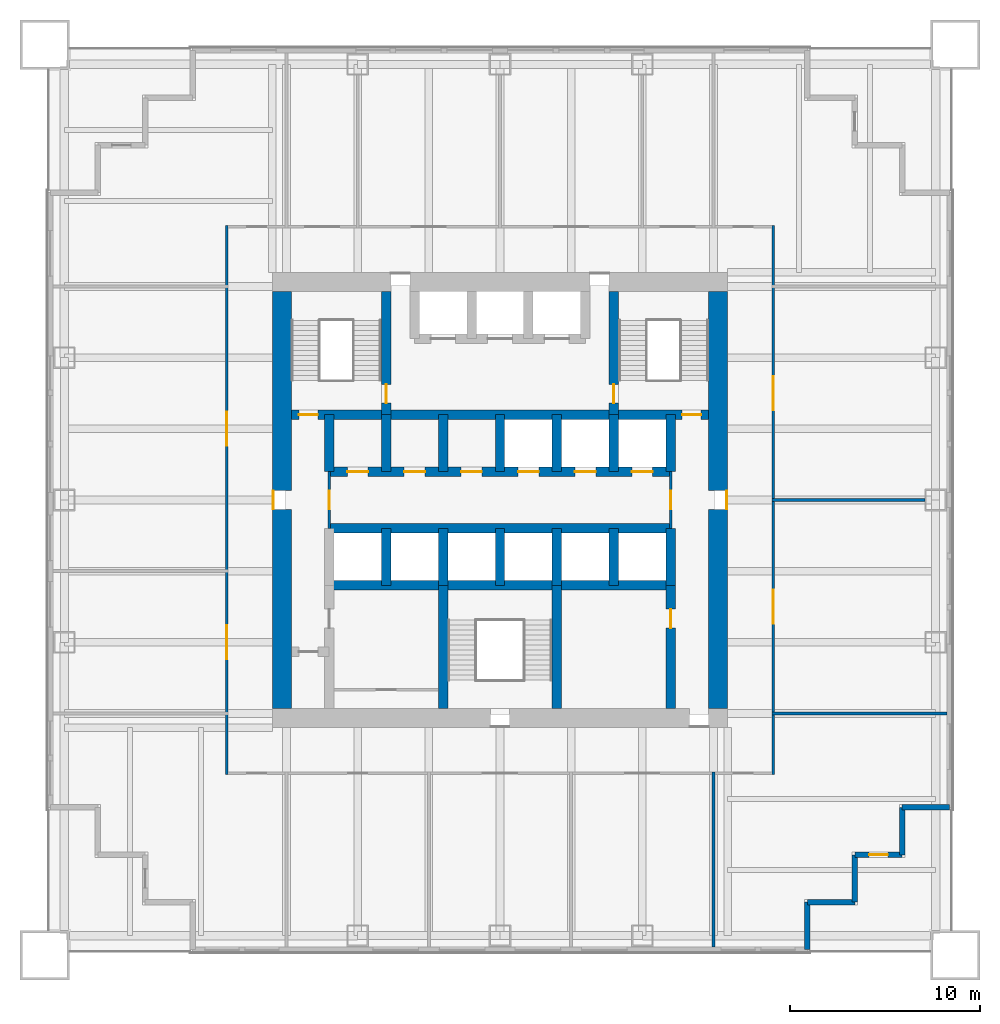
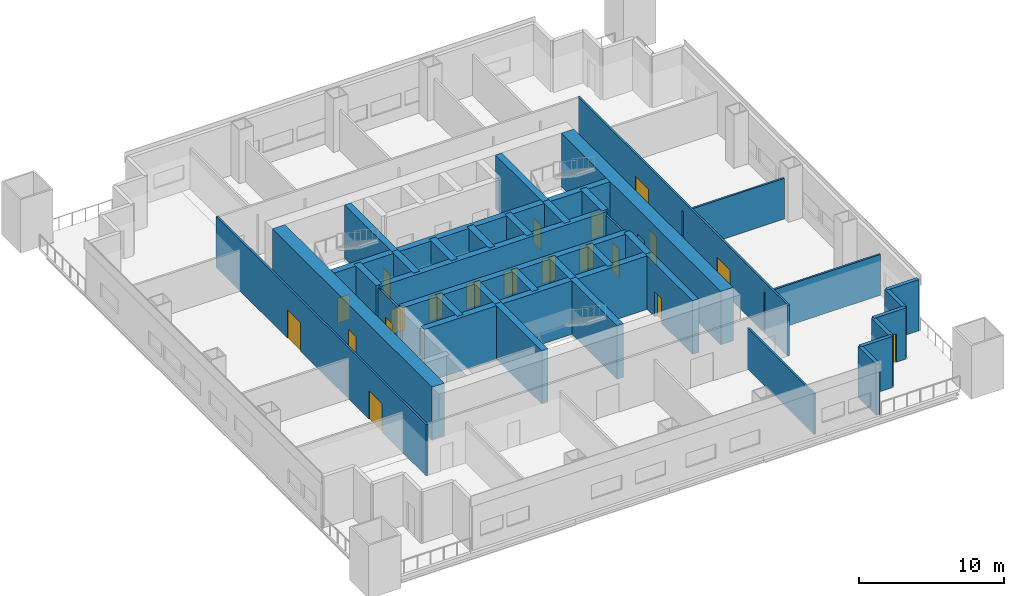
# One storey, part 3 of 6: 37 walls, 20 doors, 20 openings.
"""IFC4 building model written with IfcOpenShell, lengths in metres."""

from ifc_helpers import new_model, si_unit, direction, frame, frame_2d, origin, place, context, subcontext, project, spatial, rectangle, extrude, material, layer, layer_set, type_object, element, fill, save


model = new_model("IFC4")

# Units and contexts
model_context = context("Model", 3, precision=1e-05, world=origin(), true_north=direction((0.0, 1.0)))
body_context = subcontext(model_context, "Body", "Model", "MODEL_VIEW")
ifc_project = project(units=[si_unit("LENGTHUNIT", "METRE"), si_unit("AREAUNIT", "SQUARE_METRE"), si_unit("VOLUMEUNIT", "CUBIC_METRE"), si_unit("PLANEANGLEUNIT", "RADIAN"), si_unit("MASSUNIT", "GRAM", prefix="KILO")], contexts=[model_context])

# Site, building, storey
site_placement = place(None, origin())
site = spatial("IfcSite", under=ifc_project, at=site_placement, CompositionType="ELEMENT")
building_placement = place(site_placement, origin())
building = spatial("IfcBuilding", under=site, at=building_placement, Name="Tarangal Relay Tower", CompositionType="ELEMENT")
storey_placement = place(building_placement, frame((0.0, 0.0, 113.39990234375)))
storey = spatial("IfcBuildingStorey", under=building, at=storey_placement, Name="L22", CompositionType="ELEMENT", Elevation=113.39990234375)

# Wall, openings, doors
ifc_material_1 = material(Name="Concrete fc' 60 MPa", Category="concrete")
ifc_layer_1 = layer(ifc_material_1, 0.5)
ifc_layer_set_1 = layer_set([ifc_layer_1], Name="Core inner wall 500")
wall_type_1 = type_object("IfcWallType", Name="Core inner wall 500", PredefinedType="SHEAR", material=ifc_layer_set_1)
wall_1_placement = place(storey_placement, frame((-11.0, 4.5, 0.0), z_axis=(0.0, 0.0, 1.0), x_axis=(1.0, 0.0, 0.0)))
wall_1 = element("IfcWall", 1, at=wall_1_placement, inside=storey, type_object=wall_type_1, Name="Core wall Y45 L22", PredefinedType="SHEAR", context=body_context, shape_type="SweptSolid", body=[
    extrude(rectangle(XDim=22.0, YDim=0.5, at=frame_2d((11.0, 0.0))), origin(), (0.0, 0.0, 1.0), 4.5),
])
opening_1_placement = place(wall_1_placement, frame((0.39990234375, 0.0, 0.0)))
opening_1 = element("IfcOpeningElement", 2, at=opening_1_placement, cuts=wall_1, Name="Opening FD1", PredefinedType="OPENING", context=body_context, shape_type="SweptSolid", body=[
    extrude(rectangle(XDim=1.0, YDim=2.10009765625, at=frame_2d((0.5, 1.050048828125))), frame((0.0, 0.260009765625, 0.0), z_axis=(0.0, -1.0, 0.0), x_axis=(1.0, 0.0, 0.0)), (0.0, 0.0, 1.0), 0.52001953125),
])
opening_2_placement = place(wall_1_placement, frame((20.60009765625, 0.0, 0.0)))
opening_2 = element("IfcOpeningElement", 3, at=opening_2_placement, cuts=wall_1, Name="Opening FD1", PredefinedType="OPENING", context=body_context, shape_type="SweptSolid", body=[
    extrude(rectangle(XDim=1.0, YDim=2.10009765625, at=frame_2d((0.5, 1.050048828125))), frame((0.0, 0.260009765625, 0.0), z_axis=(0.0, -1.0, 0.0), x_axis=(1.0, 0.0, 0.0)), (0.0, 0.0, 1.0), 0.52001953125),
])
ifc_material_2 = material(Name="Steel door with hardwood frame", Category="steel")
door_type_1 = type_object("IfcDoorType", Name="Fire door 1000 x 2100", OperationType="SINGLE_SWING_LEFT", PredefinedType="DOOR", material=ifc_material_2)
door_1_placement = place(opening_1_placement, origin())
door_1 = element("IfcDoor", 4, at=door_1_placement, inside=storey, type_object=door_type_1, Name="Stair ST-A door from corridor L22", OperationType="SINGLE_SWING_LEFT", OverallHeight=2.10009765625, OverallWidth=1.0, PredefinedType="DOOR", context=body_context, shape_type="SweptSolid", body=[
    extrude(rectangle(XDim=1.0, YDim=2.10009765625, at=frame_2d((0.5, 1.050048828125))), frame((0.0, 0.02490234375, 0.0), z_axis=(0.0, -1.0, 0.0), x_axis=(1.0, 0.0, 0.0)), (0.0, 0.0, 1.0), 0.050048828125),
])
fill(opening_1, door_1)
door_2_placement = place(opening_2_placement, origin())
door_2 = element("IfcDoor", 5, at=door_2_placement, inside=storey, type_object=door_type_1, Name="Stair ST-B door from corridor L22", OperationType="SINGLE_SWING_LEFT", OverallHeight=2.10009765625, OverallWidth=1.0, PredefinedType="DOOR", context=body_context, shape_type="SweptSolid", body=[
    extrude(rectangle(XDim=1.0, YDim=2.10009765625, at=frame_2d((0.5, 1.050048828125))), frame((0.0, 0.02490234375, 0.0), z_axis=(0.0, -1.0, 0.0), x_axis=(1.0, 0.0, 0.0)), (0.0, 0.0, 1.0), 0.050048828125),
])
fill(opening_2, door_2)

wall_2_placement = place(storey_placement, frame((-9.0, 1.5, 0.0), z_axis=(0.0, 0.0, 1.0), x_axis=(1.0, 0.0, 0.0)))
wall_2 = element("IfcWall", 6, at=wall_2_placement, inside=storey, type_object=wall_type_1, Name="Core wall Y15 L22", PredefinedType="SHEAR", context=body_context, shape_type="SweptSolid", body=[
    extrude(rectangle(XDim=18.0, YDim=0.5, at=frame_2d((9.0, 0.0))), origin(), (0.0, 0.0, 1.0), 4.5),
])
opening_3_placement = place(wall_2_placement, frame((9.949951171875, 0.0, 0.0)))
opening_3 = element("IfcOpeningElement", 7, at=opening_3_placement, cuts=wall_2, Name="Opening LD1", PredefinedType="OPENING", context=body_context, shape_type="SweptSolid", body=[
    extrude(rectangle(XDim=1.10009765625, YDim=2.10009765625, at=frame_2d((0.550048828125, 1.050048828125))), frame((0.0, 0.260009765625, 0.0), z_axis=(0.0, -1.0, 0.0), x_axis=(1.0, 0.0, 0.0)), (0.0, 0.0, 1.0), 0.52001953125),
])
opening_4_placement = place(wall_2_placement, frame((12.949951171875, 0.0, 0.0)))
opening_4 = element("IfcOpeningElement", 8, at=opening_4_placement, cuts=wall_2, Name="Opening LD1", PredefinedType="OPENING", context=body_context, shape_type="SweptSolid", body=[
    extrude(rectangle(XDim=1.10009765625, YDim=2.10009765625, at=frame_2d((0.550048828125, 1.050048828125))), frame((0.0, 0.260009765625, 0.0), z_axis=(0.0, -1.0, 0.0), x_axis=(1.0, 0.0, 0.0)), (0.0, 0.0, 1.0), 0.52001953125),
])
opening_5_placement = place(wall_2_placement, frame((15.949951171875, 0.0, 0.0)))
opening_5 = element("IfcOpeningElement", 9, at=opening_5_placement, cuts=wall_2, Name="Opening LD1", PredefinedType="OPENING", context=body_context, shape_type="SweptSolid", body=[
    extrude(rectangle(XDim=1.10009765625, YDim=2.10009765625, at=frame_2d((0.550048828125, 1.050048828125))), frame((0.0, 0.260009765625, 0.0), z_axis=(0.0, -1.0, 0.0), x_axis=(1.0, 0.0, 0.0)), (0.0, 0.0, 1.0), 0.52001953125),
])
opening_6_placement = place(wall_2_placement, frame((0.949951171875, 0.0, 0.0)))
opening_6 = element("IfcOpeningElement", 10, at=opening_6_placement, cuts=wall_2, Name="Opening D4", PredefinedType="OPENING", context=body_context, shape_type="SweptSolid", body=[
    extrude(rectangle(XDim=1.10009765625, YDim=2.10009765625, at=frame_2d((0.550048828125, 1.050048828125))), frame((0.0, 0.260009765625, 0.0), z_axis=(0.0, -1.0, 0.0), x_axis=(1.0, 0.0, 0.0)), (0.0, 0.0, 1.0), 0.52001953125),
])
opening_7_placement = place(wall_2_placement, frame((3.949951171875, 0.0, 0.0)))
opening_7 = element("IfcOpeningElement", 11, at=opening_7_placement, cuts=wall_2, Name="Opening D4", PredefinedType="OPENING", context=body_context, shape_type="SweptSolid", body=[
    extrude(rectangle(XDim=1.10009765625, YDim=2.10009765625, at=frame_2d((0.550048828125, 1.050048828125))), frame((0.0, 0.260009765625, 0.0), z_axis=(0.0, -1.0, 0.0), x_axis=(1.0, 0.0, 0.0)), (0.0, 0.0, 1.0), 0.52001953125),
])
opening_8_placement = place(wall_2_placement, frame((6.949951171875, 0.0, 0.0)))
opening_8 = element("IfcOpeningElement", 12, at=opening_8_placement, cuts=wall_2, Name="Opening D4", PredefinedType="OPENING", context=body_context, shape_type="SweptSolid", body=[
    extrude(rectangle(XDim=1.10009765625, YDim=2.10009765625, at=frame_2d((0.550048828125, 1.050048828125))), frame((0.0, 0.260009765625, 0.0), z_axis=(0.0, -1.0, 0.0), x_axis=(1.0, 0.0, 0.0)), (0.0, 0.0, 1.0), 0.52001953125),
])
door_type_2 = type_object("IfcDoorType", Name="Core room door 1100 x 2100", OperationType="SINGLE_SWING_RIGHT", PredefinedType="DOOR", material=ifc_material_2)
door_3_placement = place(opening_6_placement, origin())
door_3 = element("IfcDoor", 13, at=door_3_placement, inside=storey, type_object=door_type_2, Name="Door D4 to staff pantry L22-D1", OperationType="SINGLE_SWING_RIGHT", OverallHeight=2.10009765625, OverallWidth=1.10009765625, PredefinedType="DOOR", context=body_context, shape_type="SweptSolid", body=[
    extrude(rectangle(XDim=1.10009765625, YDim=2.10009765625, at=frame_2d((0.550048828125, 1.050048828125))), frame((0.0, 0.02490234375, 0.0), z_axis=(0.0, -1.0, 0.0), x_axis=(1.0, 0.0, 0.0)), (0.0, 0.0, 1.0), 0.050048828125),
])
fill(opening_6, door_3)
door_4_placement = place(opening_7_placement, origin())
door_4 = element("IfcDoor", 14, at=door_4_placement, inside=storey, type_object=door_type_2, Name="Door D4 to staff wc L22-D2", OperationType="SINGLE_SWING_RIGHT", OverallHeight=2.10009765625, OverallWidth=1.10009765625, PredefinedType="DOOR", context=body_context, shape_type="SweptSolid", body=[
    extrude(rectangle(XDim=1.10009765625, YDim=2.10009765625, at=frame_2d((0.550048828125, 1.050048828125))), frame((0.0, 0.02490234375, 0.0), z_axis=(0.0, -1.0, 0.0), x_axis=(1.0, 0.0, 0.0)), (0.0, 0.0, 1.0), 0.050048828125),
])
fill(opening_7, door_4)
door_5_placement = place(opening_8_placement, origin())
door_5 = element("IfcDoor", 15, at=door_5_placement, inside=storey, type_object=door_type_2, Name="Door D4 to cleaner's store L22-D3", OperationType="SINGLE_SWING_RIGHT", OverallHeight=2.10009765625, OverallWidth=1.10009765625, PredefinedType="DOOR", context=body_context, shape_type="SweptSolid", body=[
    extrude(rectangle(XDim=1.10009765625, YDim=2.10009765625, at=frame_2d((0.550048828125, 1.050048828125))), frame((0.0, 0.02490234375, 0.0), z_axis=(0.0, -1.0, 0.0), x_axis=(1.0, 0.0, 0.0)), (0.0, 0.0, 1.0), 0.050048828125),
])
fill(opening_8, door_5)
door_type_3 = type_object("IfcDoorType", Name="Lift landing door 1100 x 2100", OperationType="SLIDING_TO_LEFT", PredefinedType="DOOR", material=ifc_material_2)
door_6_placement = place(opening_3_placement, origin())
door_6 = element("IfcDoor", 16, at=door_6_placement, inside=storey, type_object=door_type_3, Name="Lift T1 landing door L22", OperationType="SLIDING_TO_LEFT", OverallHeight=2.10009765625, OverallWidth=1.10009765625, PredefinedType="DOOR", context=body_context, shape_type="SweptSolid", body=[
    extrude(rectangle(XDim=1.10009765625, YDim=2.10009765625, at=frame_2d((0.550048828125, 1.050048828125))), frame((0.0, 0.02490234375, 0.0), z_axis=(0.0, -1.0, 0.0), x_axis=(1.0, 0.0, 0.0)), (0.0, 0.0, 1.0), 0.050048828125),
])
fill(opening_3, door_6)
door_7_placement = place(opening_4_placement, origin())
door_7 = element("IfcDoor", 17, at=door_7_placement, inside=storey, type_object=door_type_3, Name="Lift T2 landing door L22", OperationType="SLIDING_TO_LEFT", OverallHeight=2.10009765625, OverallWidth=1.10009765625, PredefinedType="DOOR", context=body_context, shape_type="SweptSolid", body=[
    extrude(rectangle(XDim=1.10009765625, YDim=2.10009765625, at=frame_2d((0.550048828125, 1.050048828125))), frame((0.0, 0.02490234375, 0.0), z_axis=(0.0, -1.0, 0.0), x_axis=(1.0, 0.0, 0.0)), (0.0, 0.0, 1.0), 0.050048828125),
])
fill(opening_4, door_7)
door_8_placement = place(opening_5_placement, origin())
door_8 = element("IfcDoor", 18, at=door_8_placement, inside=storey, type_object=door_type_3, Name="Lift T3 landing door L22", OperationType="SLIDING_TO_LEFT", OverallHeight=2.10009765625, OverallWidth=1.10009765625, PredefinedType="DOOR", context=body_context, shape_type="SweptSolid", body=[
    extrude(rectangle(XDim=1.10009765625, YDim=2.10009765625, at=frame_2d((0.550048828125, 1.050048828125))), frame((0.0, 0.02490234375, 0.0), z_axis=(0.0, -1.0, 0.0), x_axis=(1.0, 0.0, 0.0)), (0.0, 0.0, 1.0), 0.050048828125),
])
fill(opening_5, door_8)

# Walls
for number, where, z_axis, x_axis, name in (
    (19, (-9.0, -1.5, 0.0), (0.0, 0.0, 1.0), (1.0, 0.0, 0.0), "Core wall YM15 L22"),
    (20, (-9.0, -4.5, 0.0), (0.0, 0.0, 1.0), (1.0, 0.0, 0.0), "Core wall YM45 L22"),
):
    element("IfcWall", number, at=place(storey_placement, frame(where, z_axis=z_axis, x_axis=x_axis)), inside=storey, type_object=wall_type_1, Name=name, PredefinedType="SHEAR", context=body_context, shape_type="SweptSolid", body=[
        extrude(rectangle(XDim=18.0, YDim=0.5, at=frame_2d((9.0, 0.0))), origin(), (0.0, 0.0, 1.0), 4.5),
    ])
for number, where, z_axis, x_axis, name in (
    (21, (-9.0, 1.5, 0.0), (0.0, 0.0, 1.0), (0.0, 1.0, 0.0), "Core wall XM9N L22"),
    (22, (9.0, 1.5, 0.0), (0.0, 0.0, 1.0), (0.0, 1.0, 0.0), "Core wall X9N L22"),
    (23, (9.0, -4.5, 0.0), (0.0, 0.0, 1.0), (0.0, 1.0, 0.0), "Core wall X9S L22"),
    (24, (-6.0, 1.5, 0.0), (0.0, 0.0, 1.0), (0.0, 1.0, 0.0), "Core wall XM6N L22"),
    (25, (-3.0, 1.5, 0.0), (0.0, 0.0, 1.0), (0.0, 1.0, 0.0), "Core wall XM3N L22"),
    (26, (0.0, 1.5, 0.0), (0.0, 0.0, 1.0), (0.0, 1.0, 0.0), "Core wall X0N L22"),
    (27, (3.0, 1.5, 0.0), (0.0, 0.0, 1.0), (0.0, 1.0, 0.0), "Core wall X3N L22"),
    (28, (6.0, 1.5, 0.0), (0.0, 0.0, 1.0), (0.0, 1.0, 0.0), "Core wall X6N L22"),
    (29, (-6.0, -4.5, 0.0), (0.0, 0.0, 1.0), (0.0, 1.0, 0.0), "Core wall XM6S L22"),
    (30, (-3.0, -4.5, 0.0), (0.0, 0.0, 1.0), (0.0, 1.0, 0.0), "Core wall XM3S L22"),
    (31, (0.0, -4.5, 0.0), (0.0, 0.0, 1.0), (0.0, 1.0, 0.0), "Core wall X0S L22"),
    (32, (3.0, -4.5, 0.0), (0.0, 0.0, 1.0), (0.0, 1.0, 0.0), "Core wall X3S L22"),
    (33, (6.0, -4.5, 0.0), (0.0, 0.0, 1.0), (0.0, 1.0, 0.0), "Core wall X6S L22"),
):
    element("IfcWall", number, at=place(storey_placement, frame(where, z_axis=z_axis, x_axis=x_axis)), inside=storey, type_object=wall_type_1, Name=name, PredefinedType="SHEAR", context=body_context, shape_type="SweptSolid", body=[
        extrude(rectangle(XDim=3.0, YDim=0.5, at=frame_2d((1.5, 0.0))), origin(), (0.0, 0.0, 1.0), 4.5),
    ])

# Wall, opening, door
wall_3_placement = place(storey_placement, frame((-6.0, 4.5, 0.0), z_axis=(0.0, 0.0, 1.0), x_axis=(0.0, 1.0, 0.0)))
wall_3 = element("IfcWall", 34, at=wall_3_placement, inside=storey, type_object=wall_type_1, Name="Core wall XM6 L22", PredefinedType="SHEAR", context=body_context, shape_type="SweptSolid", body=[
    extrude(rectangle(XDim=6.5, YDim=0.5, at=frame_2d((3.25, 0.0))), origin(), (0.0, 0.0, 1.0), 4.5),
])
opening_9_placement = place(wall_3_placement, frame((0.60009765625, 0.0, 0.0)))
opening_9 = element("IfcOpeningElement", 35, at=opening_9_placement, cuts=wall_3, Name="Opening FD1", PredefinedType="OPENING", context=body_context, shape_type="SweptSolid", body=[
    extrude(rectangle(XDim=1.0, YDim=2.10009765625, at=frame_2d((0.5, 1.050048828125))), frame((0.0, 0.260009765625, 0.0), z_axis=(0.0, -1.0, 0.0), x_axis=(1.0, 0.0, 0.0)), (0.0, 0.0, 1.0), 0.52001953125),
])
door_9_placement = place(opening_9_placement, origin())
door_9 = element("IfcDoor", 36, at=door_9_placement, inside=storey, type_object=door_type_1, Name="Stair ST-A door from fire-fighting lobby L22", OperationType="SINGLE_SWING_LEFT", OverallHeight=2.10009765625, OverallWidth=1.0, PredefinedType="DOOR", context=body_context, shape_type="SweptSolid", body=[
    extrude(rectangle(XDim=1.0, YDim=2.10009765625, at=frame_2d((0.5, 1.050048828125))), frame((0.0, 0.02490234375, 0.0), z_axis=(0.0, -1.0, 0.0), x_axis=(1.0, 0.0, 0.0)), (0.0, 0.0, 1.0), 0.050048828125),
])
fill(opening_9, door_9)

wall_4_placement = place(storey_placement, frame((6.0, 4.5, 0.0), z_axis=(0.0, 0.0, 1.0), x_axis=(0.0, 1.0, 0.0)))
wall_4 = element("IfcWall", 37, at=wall_4_placement, inside=storey, type_object=wall_type_1, Name="Core wall X6 L22", PredefinedType="SHEAR", context=body_context, shape_type="SweptSolid", body=[
    extrude(rectangle(XDim=6.5, YDim=0.5, at=frame_2d((3.25, 0.0))), origin(), (0.0, 0.0, 1.0), 4.5),
])
opening_10_placement = place(wall_4_placement, frame((0.60009765625, 0.0, 0.0)))
opening_10 = element("IfcOpeningElement", 38, at=opening_10_placement, cuts=wall_4, Name="Opening FD1", PredefinedType="OPENING", context=body_context, shape_type="SweptSolid", body=[
    extrude(rectangle(XDim=1.0, YDim=2.10009765625, at=frame_2d((0.5, 1.050048828125))), frame((0.0, 0.260009765625, 0.0), z_axis=(0.0, -1.0, 0.0), x_axis=(1.0, 0.0, 0.0)), (0.0, 0.0, 1.0), 0.52001953125),
])
door_10_placement = place(opening_10_placement, origin())
door_10 = element("IfcDoor", 39, at=door_10_placement, inside=storey, type_object=door_type_1, Name="Stair ST-B door from fire-fighting lobby L22", OperationType="SINGLE_SWING_LEFT", OverallHeight=2.10009765625, OverallWidth=1.0, PredefinedType="DOOR", context=body_context, shape_type="SweptSolid", body=[
    extrude(rectangle(XDim=1.0, YDim=2.10009765625, at=frame_2d((0.5, 1.050048828125))), frame((0.0, 0.02490234375, 0.0), z_axis=(0.0, -1.0, 0.0), x_axis=(1.0, 0.0, 0.0)), (0.0, 0.0, 1.0), 0.050048828125),
])
fill(opening_10, door_10)

wall_5_placement = place(storey_placement, frame((9.0, -11.0, 0.0), z_axis=(0.0, 0.0, 1.0), x_axis=(0.0, 1.0, 0.0)))
wall_5 = element("IfcWall", 40, at=wall_5_placement, inside=storey, type_object=wall_type_1, Name="Core wall X9W L22", PredefinedType="SHEAR", context=body_context, shape_type="SweptSolid", body=[
    extrude(rectangle(XDim=6.5, YDim=0.5, at=frame_2d((3.25, 0.0))), origin(), (0.0, 0.0, 1.0), 4.5),
])
opening_11_placement = place(wall_5_placement, frame((4.25, 0.0, 0.0)))
opening_11 = element("IfcOpeningElement", 41, at=opening_11_placement, cuts=wall_5, Name="Opening D1", PredefinedType="OPENING", context=body_context, shape_type="SweptSolid", body=[
    extrude(rectangle(XDim=1.0, YDim=2.10009765625, at=frame_2d((0.5, 1.050048828125))), frame((0.0, 0.260009765625, 0.0), z_axis=(0.0, -1.0, 0.0), x_axis=(1.0, 0.0, 0.0)), (0.0, 0.0, 1.0), 0.52001953125),
])
ifc_material_3 = material(Name="Hardwood door", Category="wood")
door_type_4 = type_object("IfcDoorType", Name="WC door 1000 x 2100", OperationType="SINGLE_SWING_LEFT", PredefinedType="DOOR", material=ifc_material_3)
door_11_placement = place(opening_11_placement, origin())
door_11 = element("IfcDoor", 42, at=door_11_placement, inside=storey, type_object=door_type_4, Name="Female WC door L22", OperationType="SINGLE_SWING_LEFT", OverallHeight=2.10009765625, OverallWidth=1.0, PredefinedType="DOOR", context=body_context, shape_type="SweptSolid", body=[
    extrude(rectangle(XDim=1.0, YDim=2.10009765625, at=frame_2d((0.5, 1.050048828125))), frame((0.0, 0.02490234375, 0.0), z_axis=(0.0, -1.0, 0.0), x_axis=(1.0, 0.0, 0.0)), (0.0, 0.0, 1.0), 0.050048828125),
])
fill(opening_11, door_11)

# Walls
for number, where, z_axis, x_axis, name in (
    (43, (-3.0, -11.0, 0.0), (0.0, 0.0, 1.0), (0.0, 1.0, 0.0), "Core wall XM3W L22"),
    (44, (3.0, -11.0, 0.0), (0.0, 0.0, 1.0), (0.0, 1.0, 0.0), "Core wall X3W L22"),
):
    element("IfcWall", number, at=place(storey_placement, frame(where, z_axis=z_axis, x_axis=x_axis)), inside=storey, type_object=wall_type_1, Name=name, PredefinedType="SHEAR", context=body_context, shape_type="SweptSolid", body=[
        extrude(rectangle(XDim=6.5, YDim=0.5, at=frame_2d((3.25, 0.0))), origin(), (0.0, 0.0, 1.0), 4.5),
    ])

# Wall, opening, door
ifc_layer_2 = layer(ifc_material_1, 1.0)
ifc_layer_set_2 = layer_set([ifc_layer_2], Name="Core wall 1000")
wall_type_2 = type_object("IfcWallType", Name="Core wall 1000", PredefinedType="SHEAR", material=ifc_layer_set_2)
wall_6_placement = place(storey_placement, frame((11.5, 11.0, 0.0), z_axis=(0.0, 0.0, 1.0), x_axis=(0.0, -1.0, 0.0)))
wall_6 = element("IfcWall", 45, at=wall_6_placement, inside=storey, type_object=wall_type_2, Name="Core wall E L22", PredefinedType="SHEAR", context=body_context, shape_type="SweptSolid", body=[
    extrude(rectangle(XDim=22.0, YDim=1.0, at=frame_2d((11.0, 0.0))), origin(), (0.0, 0.0, 1.0), 4.5),
])
opening_12_placement = place(wall_6_placement, frame((10.5, 0.0, 0.0)))
opening_12 = element("IfcOpeningElement", 46, at=opening_12_placement, cuts=wall_6, Name="Opening FD3", PredefinedType="OPENING", context=body_context, shape_type="SweptSolid", body=[
    extrude(rectangle(XDim=1.0, YDim=2.39990234375, at=frame_2d((0.5, 1.199951171875))), frame((0.0, 0.510009765625, 0.0), z_axis=(0.0, -1.0, 0.0), x_axis=(1.0, 0.0, 0.0)), (0.0, 0.0, 1.0), 1.02001953125),
])
door_type_5 = type_object("IfcDoorType", Name="Fire door 1000 x 2400 core entry", OperationType="SINGLE_SWING_RIGHT", PredefinedType="DOOR", material=ifc_material_2)
door_12_placement = place(opening_12_placement, origin())
door_12 = element("IfcDoor", 47, at=door_12_placement, inside=storey, type_object=door_type_5, Name="Core entry door east L22", OperationType="SINGLE_SWING_RIGHT", OverallHeight=2.39990234375, OverallWidth=1.0, PredefinedType="DOOR", context=body_context, shape_type="SweptSolid", body=[
    extrude(rectangle(XDim=1.0, YDim=2.39990234375, at=frame_2d((0.5, 1.199951171875))), frame((0.0, 0.48486328125, 0.0), z_axis=(0.0, -1.0, 0.0), x_axis=(1.0, 0.0, 0.0)), (0.0, 0.0, 1.0), 0.050048828125),
])
fill(opening_12, door_12)

wall_7_placement = place(storey_placement, frame((-11.5, -11.0, 0.0), z_axis=(0.0, 0.0, 1.0), x_axis=(0.0, 1.0, 0.0)))
wall_7 = element("IfcWall", 48, at=wall_7_placement, inside=storey, type_object=wall_type_2, Name="Core wall W L22", PredefinedType="SHEAR", context=body_context, shape_type="SweptSolid", body=[
    extrude(rectangle(XDim=22.0, YDim=1.0, at=frame_2d((11.0, 0.0))), origin(), (0.0, 0.0, 1.0), 4.5),
])
opening_13_placement = place(wall_7_placement, frame((10.5, 0.0, 0.0)))
opening_13 = element("IfcOpeningElement", 49, at=opening_13_placement, cuts=wall_7, Name="Opening FD3", PredefinedType="OPENING", context=body_context, shape_type="SweptSolid", body=[
    extrude(rectangle(XDim=1.0, YDim=2.39990234375, at=frame_2d((0.5, 1.199951171875))), frame((0.0, 0.510009765625, 0.0), z_axis=(0.0, -1.0, 0.0), x_axis=(1.0, 0.0, 0.0)), (0.0, 0.0, 1.0), 1.02001953125),
])
door_13_placement = place(opening_13_placement, origin())
door_13 = element("IfcDoor", 50, at=door_13_placement, inside=storey, type_object=door_type_5, Name="Core entry door west L22", OperationType="SINGLE_SWING_RIGHT", OverallHeight=2.39990234375, OverallWidth=1.0, PredefinedType="DOOR", context=body_context, shape_type="SweptSolid", body=[
    extrude(rectangle(XDim=1.0, YDim=2.39990234375, at=frame_2d((0.5, 1.199951171875))), frame((0.0, 0.48486328125, 0.0), z_axis=(0.0, -1.0, 0.0), x_axis=(1.0, 0.0, 0.0)), (0.0, 0.0, 1.0), 0.050048828125),
])
fill(opening_13, door_13)

# Walls
ifc_material_4 = material(Name="Insulated precast concrete fc' 40 MPa", Category="concrete")
ifc_layer_3 = layer(ifc_material_4, 0.300048828125)
ifc_layer_set_3 = layer_set([ifc_layer_3], Name="Insulated precast concrete fc' 40 MPa")
wall_type_3 = type_object("IfcWallType", Name="Facade wall precast 300", PredefinedType="SOLIDWALL", material=ifc_layer_set_3)
for number, where, z_axis, x_axis, name in (
    (51, (23.699951171875, -16.199951171875, 0.0), (0.0, 0.0, 1.0), (-1.0, 0.0, 0.0), "Facade wall E facade L22"),
    (52, (21.199951171875, -16.199951171875, 0.0), (0.0, 0.0, 1.0), (0.0, -1.0, 0.0), "Facade wall E facade L22"),
):
    element("IfcWall", number, at=place(storey_placement, frame(where, z_axis=z_axis, x_axis=x_axis)), inside=storey, type_object=wall_type_3, Name=name, PredefinedType="SOLIDWALL", context=body_context, shape_type="SweptSolid", body=[
        extrude(rectangle(XDim=2.5, YDim=0.300048828125, at=frame_2d((1.25, 0.0))), origin(), (0.0, 0.0, 1.0), 4.300048828125),
    ])

# Wall, opening, door
wall_8_placement = place(storey_placement, frame((21.199951171875, -18.699951171875, 0.0), z_axis=(0.0, 0.0, 1.0), x_axis=(-1.0, 0.0, 0.0)))
wall_8 = element("IfcWall", 53, at=wall_8_placement, inside=storey, type_object=wall_type_3, Name="Facade wall E facade L22", PredefinedType="SOLIDWALL", context=body_context, shape_type="SweptSolid", body=[
    extrude(rectangle(XDim=2.5, YDim=0.300048828125, at=frame_2d((1.25, 0.0))), origin(), (0.0, 0.0, 1.0), 4.300048828125),
])
opening_14_placement = place(wall_8_placement, frame((0.75, 0.0, 0.0)))
opening_14 = element("IfcOpeningElement", 54, at=opening_14_placement, cuts=wall_8, Name="Opening TD1", PredefinedType="OPENING", context=body_context, shape_type="SweptSolid", body=[
    extrude(rectangle(XDim=1.0, YDim=2.39990234375, at=frame_2d((0.5, 1.199951171875))), frame((0.0, 0.159912109375, 0.0), z_axis=(0.0, -1.0, 0.0), x_axis=(1.0, 0.0, 0.0)), (0.0, 0.0, 1.0), 0.320068359375),
])
ifc_material_5 = material(Name="Aluminium glazed door", Category="aluminium")
door_type_6 = type_object("IfcDoorType", Name="Terrace door 1000 x 2400", OperationType="SINGLE_SWING_RIGHT", PredefinedType="DOOR", material=ifc_material_5)
door_14_placement = place(opening_14_placement, origin())
door_14 = element("IfcDoor", 55, at=door_14_placement, inside=storey, type_object=door_type_6, Name="Terrace door TD1 SE L22", OperationType="SINGLE_SWING_RIGHT", OverallHeight=2.39990234375, OverallWidth=1.0, PredefinedType="DOOR", context=body_context, shape_type="SweptSolid", body=[
    extrude(rectangle(XDim=1.0, YDim=2.39990234375, at=frame_2d((0.5, 1.199951171875))), frame((0.0, 0.02490234375, 0.0), z_axis=(0.0, -1.0, 0.0), x_axis=(1.0, 0.0, 0.0)), (0.0, 0.0, 1.0), 0.050048828125),
])
fill(opening_14, door_14)

# Walls
for number, where, z_axis, x_axis, name in (
    (56, (18.699951171875, -18.699951171875, 0.0), (0.0, 0.0, 1.0), (0.0, -1.0, 0.0), "Facade wall E facade L22"),
    (57, (18.699951171875, -21.199951171875, 0.0), (0.0, 0.0, 1.0), (-1.0, 0.0, 0.0), "Facade wall E facade L22"),
    (58, (16.199951171875, -21.199951171875, 0.0), (0.0, 0.0, 1.0), (0.0, -1.0, 0.0), "Facade wall E facade L22"),
):
    element("IfcWall", number, at=place(storey_placement, frame(where, z_axis=z_axis, x_axis=x_axis)), inside=storey, type_object=wall_type_3, Name=name, PredefinedType="SOLIDWALL", context=body_context, shape_type="SweptSolid", body=[
        extrude(rectangle(XDim=2.5, YDim=0.300048828125, at=frame_2d((1.25, 0.0))), origin(), (0.0, 0.0, 1.0), 4.300048828125),
    ])
ifc_material_6 = material(Name="Gypsum board on steel studs", Category="steel")
ifc_layer_4 = layer(ifc_material_6, 0.14990234375)
ifc_layer_set_4 = layer_set([ifc_layer_4], Name="Partition 150")
wall_type_4 = type_object("IfcWallType", Name="Partition 150", PredefinedType="PARTITIONING", material=ifc_layer_set_4)
wall_9_placement = place(storey_placement, frame((14.324951171875, -11.25, 0.0), z_axis=(0.0, 0.0, 1.0), x_axis=(1.0, 0.0, 0.0)))
element("IfcWall", 59, at=wall_9_placement, inside=storey, type_object=wall_type_4, Name="Partition PT1 L22", PredefinedType="PARTITIONING", context=body_context, shape_type="SweptSolid", body=[
    extrude(rectangle(XDim=9.22509765625, YDim=0.14990234375, at=frame_2d((4.612548828125, 0.0))), origin(), (0.0, 0.0, 1.0), 3.431396484375),
])
wall_10_placement = place(storey_placement, frame((14.324951171875, 0.0, 0.0), z_axis=(0.0, 0.0, 1.0), x_axis=(1.0, 0.0, 0.0)))
element("IfcWall", 60, at=wall_10_placement, inside=storey, type_object=wall_type_4, Name="Partition PT1 L22", PredefinedType="PARTITIONING", context=body_context, shape_type="SweptSolid", body=[
    extrude(rectangle(XDim=8.06494140625, YDim=0.14990234375, at=frame_2d((4.032470703125, 0.0))), origin(), (0.0, 0.0, 1.0), 3.431396484375),
])

# Wall, openings, doors
wall_11_placement = place(storey_placement, frame((-14.39990234375, -14.47509765625, 0.0), z_axis=(0.0, 0.0, 1.0), x_axis=(0.0, 1.0, 0.0)))
wall_11 = element("IfcWall", 61, at=wall_11_placement, inside=storey, type_object=wall_type_4, Name="Partition PT1 L22", PredefinedType="PARTITIONING", context=body_context, shape_type="SweptSolid", body=[
    extrude(rectangle(XDim=28.9501953125, YDim=0.14990234375, at=frame_2d((14.47509765625, 0.0))), origin(), (0.0, 0.0, 1.0), 4.300048828125),
])
opening_15_placement = place(wall_11_placement, frame((6.074951171875, 0.0, 0.0)))
opening_15 = element("IfcOpeningElement", 62, at=opening_15_placement, cuts=wall_11, Name="Opening DD1", PredefinedType="OPENING", context=body_context, shape_type="SweptSolid", body=[
    extrude(rectangle(XDim=1.800048828125, YDim=2.39990234375, at=frame_2d((0.89990234375, 1.199951171875))), frame((0.0, 0.0849609375, 0.0), z_axis=(0.0, -1.0, 0.0), x_axis=(1.0, 0.0, 0.0)), (0.0, 0.0, 1.0), 0.169921875),
])
opening_16_placement = place(wall_11_placement, frame((17.324951171875, 0.0, 0.0)))
opening_16 = element("IfcOpeningElement", 63, at=opening_16_placement, cuts=wall_11, Name="Opening DD1", PredefinedType="OPENING", context=body_context, shape_type="SweptSolid", body=[
    extrude(rectangle(XDim=1.800048828125, YDim=2.39990234375, at=frame_2d((0.89990234375, 1.199951171875))), frame((0.0, 0.0849609375, 0.0), z_axis=(0.0, -1.0, 0.0), x_axis=(1.0, 0.0, 0.0)), (0.0, 0.0, 1.0), 0.169921875),
])
door_type_7 = type_object("IfcDoorType", Name="Equipment double door 1800 x 2400", OperationType="DOUBLE_DOOR_SINGLE_SWING", PredefinedType="DOOR", material=ifc_material_2)
door_15_placement = place(opening_15_placement, origin())
door_15 = element("IfcDoor", 64, at=door_15_placement, inside=storey, type_object=door_type_7, Name="Door DD1 to fibre distribution room L22-11", OperationType="DOUBLE_DOOR_SINGLE_SWING", OverallHeight=2.39990234375, OverallWidth=1.800048828125, PredefinedType="DOOR", context=body_context, shape_type="SweptSolid", body=[
    extrude(rectangle(XDim=1.800048828125, YDim=2.39990234375, at=frame_2d((0.89990234375, 1.199951171875))), frame((0.0, 0.02490234375, 0.0), z_axis=(0.0, -1.0, 0.0), x_axis=(1.0, 0.0, 0.0)), (0.0, 0.0, 1.0), 0.050048828125),
])
fill(opening_15, door_15)
door_16_placement = place(opening_16_placement, origin())
door_16 = element("IfcDoor", 65, at=door_16_placement, inside=storey, type_object=door_type_7, Name="Door DD1 to telecom equipment room L22-12", OperationType="DOUBLE_DOOR_SINGLE_SWING", OverallHeight=2.39990234375, OverallWidth=1.800048828125, PredefinedType="DOOR", context=body_context, shape_type="SweptSolid", body=[
    extrude(rectangle(XDim=1.800048828125, YDim=2.39990234375, at=frame_2d((0.89990234375, 1.199951171875))), frame((0.0, 0.02490234375, 0.0), z_axis=(0.0, -1.0, 0.0), x_axis=(1.0, 0.0, 0.0)), (0.0, 0.0, 1.0), 0.050048828125),
])
fill(opening_16, door_16)

# Wall
wall_12_placement = place(storey_placement, frame((11.25, -23.550048828125, 0.0), z_axis=(0.0, 0.0, 1.0), x_axis=(0.0, 1.0, 0.0)))
element("IfcWall", 66, at=wall_12_placement, inside=storey, type_object=wall_type_4, Name="Partition PT1 L22", PredefinedType="PARTITIONING", context=body_context, shape_type="SweptSolid", body=[
    extrude(rectangle(XDim=9.22509765625, YDim=0.14990234375, at=frame_2d((4.612548828125, 0.0))), origin(), (0.0, 0.0, 1.0), 3.431396484375),
])

# Wall, openings, doors
wall_13_placement = place(storey_placement, frame((14.39990234375, -14.47509765625, 0.0), z_axis=(0.0, 0.0, 1.0), x_axis=(0.0, 1.0, 0.0)))
wall_13 = element("IfcWall", 67, at=wall_13_placement, inside=storey, type_object=wall_type_4, Name="Partition PT1 L22", PredefinedType="PARTITIONING", context=body_context, shape_type="SweptSolid", body=[
    extrude(rectangle(XDim=28.9501953125, YDim=0.14990234375, at=frame_2d((14.47509765625, 0.0))), origin(), (0.0, 0.0, 1.0), 4.300048828125),
])
opening_17_placement = place(wall_13_placement, frame((19.199951171875, 0.0, 0.0)))
opening_17 = element("IfcOpeningElement", 68, at=opening_17_placement, cuts=wall_13, Name="Opening DD1", PredefinedType="OPENING", context=body_context, shape_type="SweptSolid", body=[
    extrude(rectangle(XDim=1.800048828125, YDim=2.39990234375, at=frame_2d((0.89990234375, 1.199951171875))), frame((0.0, 0.0849609375, 0.0), z_axis=(0.0, -1.0, 0.0), x_axis=(1.0, 0.0, 0.0)), (0.0, 0.0, 1.0), 0.169921875),
])
opening_18_placement = place(wall_13_placement, frame((7.949951171875, 0.0, 0.0)))
opening_18 = element("IfcOpeningElement", 69, at=opening_18_placement, cuts=wall_13, Name="Opening DD1", PredefinedType="OPENING", context=body_context, shape_type="SweptSolid", body=[
    extrude(rectangle(XDim=1.800048828125, YDim=2.39990234375, at=frame_2d((0.89990234375, 1.199951171875))), frame((0.0, 0.0849609375, 0.0), z_axis=(0.0, -1.0, 0.0), x_axis=(1.0, 0.0, 0.0)), (0.0, 0.0, 1.0), 0.169921875),
])
door_17_placement = place(opening_17_placement, origin())
door_17 = element("IfcDoor", 70, at=door_17_placement, inside=storey, type_object=door_type_7, Name="Door DD1 to carrier equipment room L22-06", OperationType="DOUBLE_DOOR_SINGLE_SWING", OverallHeight=2.39990234375, OverallWidth=1.800048828125, PredefinedType="DOOR", context=body_context, shape_type="SweptSolid", body=[
    extrude(rectangle(XDim=1.800048828125, YDim=2.39990234375, at=frame_2d((0.89990234375, 1.199951171875))), frame((0.0, 0.02490234375, 0.0), z_axis=(0.0, -1.0, 0.0), x_axis=(1.0, 0.0, 0.0)), (0.0, 0.0, 1.0), 0.050048828125),
])
fill(opening_17, door_17)
door_18_placement = place(opening_18_placement, origin())
door_18 = element("IfcDoor", 71, at=door_18_placement, inside=storey, type_object=door_type_7, Name="Door DD1 to carrier equipment room L22-07", OperationType="DOUBLE_DOOR_SINGLE_SWING", OverallHeight=2.39990234375, OverallWidth=1.800048828125, PredefinedType="DOOR", context=body_context, shape_type="SweptSolid", body=[
    extrude(rectangle(XDim=1.800048828125, YDim=2.39990234375, at=frame_2d((0.89990234375, 1.199951171875))), frame((0.0, 0.02490234375, 0.0), z_axis=(0.0, -1.0, 0.0), x_axis=(1.0, 0.0, 0.0)), (0.0, 0.0, 1.0), 0.050048828125),
])
fill(opening_18, door_18)

# Wall, opening, door
wall_14_placement = place(storey_placement, frame((-9.0, -1.5, 0.0), z_axis=(0.0, 0.0, 1.0), x_axis=(0.0, 1.0, 0.0)))
wall_14 = element("IfcWall", 72, at=wall_14_placement, inside=storey, type_object=wall_type_4, Name="Partition PT1 L22", PredefinedType="PARTITIONING", context=body_context, shape_type="SweptSolid", body=[
    extrude(rectangle(XDim=3.0, YDim=0.14990234375, at=frame_2d((1.5, 0.0))), origin(), (0.0, 0.0, 1.0), 4.25),
])
opening_19_placement = place(wall_14_placement, frame((1.0, 0.0, 0.0)))
opening_19 = element("IfcOpeningElement", 73, at=opening_19_placement, cuts=wall_14, Name="Opening FD3", PredefinedType="OPENING", context=body_context, shape_type="SweptSolid", body=[
    extrude(rectangle(XDim=1.0, YDim=2.39990234375, at=frame_2d((0.5, 1.199951171875))), frame((0.0, 0.0849609375, 0.0), z_axis=(0.0, -1.0, 0.0), x_axis=(1.0, 0.0, 0.0)), (0.0, 0.0, 1.0), 0.169921875),
])
door_19_placement = place(opening_19_placement, origin())
door_19 = element("IfcDoor", 74, at=door_19_placement, inside=storey, type_object=door_type_5, Name="Lift lobby door FD3 to the west corridor L22", OperationType="SINGLE_SWING_RIGHT", OverallHeight=2.39990234375, OverallWidth=1.0, PredefinedType="DOOR", context=body_context, shape_type="SweptSolid", body=[
    extrude(rectangle(XDim=1.0, YDim=2.39990234375, at=frame_2d((0.5, 1.199951171875))), frame((0.0, 0.02490234375, 0.0), z_axis=(0.0, -1.0, 0.0), x_axis=(1.0, 0.0, 0.0)), (0.0, 0.0, 1.0), 0.050048828125),
])
fill(opening_19, door_19)

wall_15_placement = place(storey_placement, frame((9.0, -1.5, 0.0), z_axis=(0.0, 0.0, 1.0), x_axis=(0.0, 1.0, 0.0)))
wall_15 = element("IfcWall", 75, at=wall_15_placement, inside=storey, type_object=wall_type_4, Name="Partition PT1 L22", PredefinedType="PARTITIONING", context=body_context, shape_type="SweptSolid", body=[
    extrude(rectangle(XDim=3.0, YDim=0.14990234375, at=frame_2d((1.5, 0.0))), origin(), (0.0, 0.0, 1.0), 4.25),
])
opening_20_placement = place(wall_15_placement, frame((1.0, 0.0, 0.0)))
opening_20 = element("IfcOpeningElement", 76, at=opening_20_placement, cuts=wall_15, Name="Opening FD3", PredefinedType="OPENING", context=body_context, shape_type="SweptSolid", body=[
    extrude(rectangle(XDim=1.0, YDim=2.39990234375, at=frame_2d((0.5, 1.199951171875))), frame((0.0, 0.0849609375, 0.0), z_axis=(0.0, -1.0, 0.0), x_axis=(1.0, 0.0, 0.0)), (0.0, 0.0, 1.0), 0.169921875),
])
door_20_placement = place(opening_20_placement, origin())
door_20 = element("IfcDoor", 77, at=door_20_placement, inside=storey, type_object=door_type_5, Name="Lift lobby door FD3 to the east corridor L22", OperationType="SINGLE_SWING_RIGHT", OverallHeight=2.39990234375, OverallWidth=1.0, PredefinedType="DOOR", context=body_context, shape_type="SweptSolid", body=[
    extrude(rectangle(XDim=1.0, YDim=2.39990234375, at=frame_2d((0.5, 1.199951171875))), frame((0.0, 0.02490234375, 0.0), z_axis=(0.0, -1.0, 0.0), x_axis=(1.0, 0.0, 0.0)), (0.0, 0.0, 1.0), 0.050048828125),
])
fill(opening_20, door_20)

save(model, "model.ifc")
